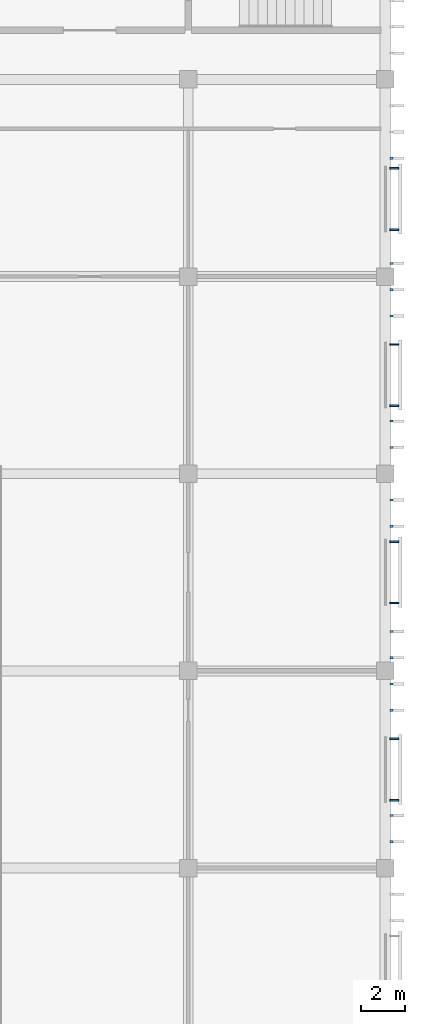
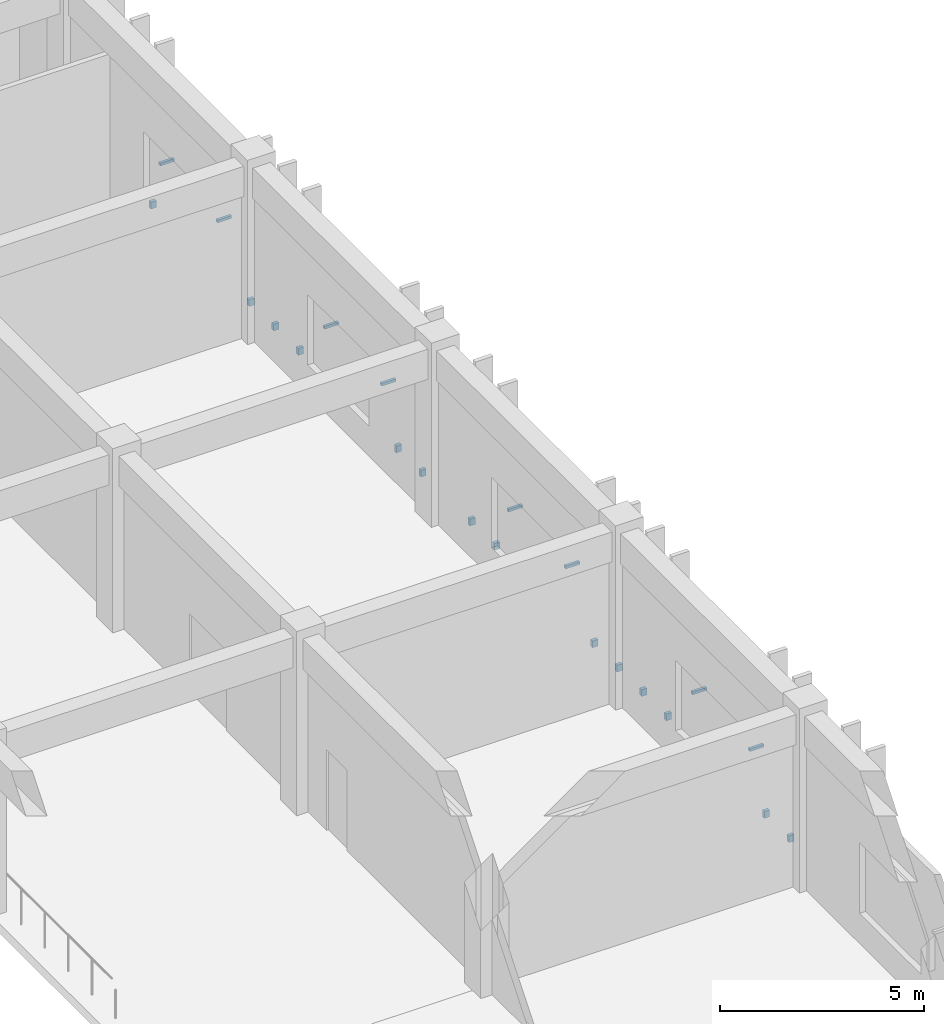
# One storey, part 162 of 185: 22 discrete accessories.
"""IFC4 building model written with IfcOpenShell, lengths in metres."""

from ifc_helpers import new_model, si_unit, direction, frame, origin, origin_2d, place, context, subcontext, project, spatial, rectangle, extrude, material, type_object, element, save


model = new_model("IFC4")

# Units and contexts
model_context = context("Model", 3, precision=1e-05, world=origin(), true_north=direction((0.0, 1.0)))
body_context = subcontext(model_context, "Body", "Model", "MODEL_VIEW")
ifc_project = project(units=[si_unit("LENGTHUNIT", "METRE"), si_unit("AREAUNIT", "SQUARE_METRE"), si_unit("VOLUMEUNIT", "CUBIC_METRE"), si_unit("PLANEANGLEUNIT", "RADIAN"), si_unit("MASSUNIT", "GRAM", prefix="KILO")], contexts=[model_context])

# Site, building, storey
site_placement = place(None, origin())
site = spatial("IfcSite", under=ifc_project, at=site_placement, CompositionType="ELEMENT")
building_placement = place(site_placement, origin())
building = spatial("IfcBuilding", under=site, at=building_placement, Name="Opaline Strait Convention Centre", CompositionType="ELEMENT")
storey_placement = place(building_placement, frame((0.0, 0.0, 6.0)))
storey = spatial("IfcBuildingStorey", under=building, at=storey_placement, Name="L01", CompositionType="ELEMENT", Elevation=6.0)

# Discrete accessories
ifc_material = material(Name="Stainless steel 304", Category="steel")
discrete_accessory_type_1 = type_object("IfcDiscreteAccessoryType", Name="Fin bracket 150 stainless steel", PredefinedType="BRACKET", material=ifc_material)
for number, where, z_axis, x_axis, name in (
    (1, (360.27490234375, 136.199951171875, 0.35009765625), (0.0, 0.0, 1.0), (1.0, 0.0, 0.0), "Fin bracket"),
    (2, (360.27490234375, 137.39990234375, 0.35009765625), (0.0, 0.0, 1.0), (1.0, 0.0, 0.0), "Fin bracket"),
    (3, (360.27490234375, 142.199951171875, 0.35009765625), (0.0, 0.0, 1.0), (1.0, 0.0, 0.0), "Fin bracket"),
    (4, (360.27490234375, 143.39990234375, 0.35009765625), (0.0, 0.0, 1.0), (1.0, 0.0, 0.0), "Fin bracket"),
    (5, (360.27490234375, 144.60009765625, 0.35009765625), (0.0, 0.0, 1.0), (1.0, 0.0, 0.0), "Fin bracket"),
    (6, (360.27490234375, 145.800048828125, 0.35009765625), (0.0, 0.0, 1.0), (1.0, 0.0, 0.0), "Fin bracket"),
    (7, (360.27490234375, 150.60009765625, 0.35009765625), (0.0, 0.0, 1.0), (1.0, 0.0, 0.0), "Fin bracket"),
    (8, (360.27490234375, 151.800048828125, 0.35009765625), (0.0, 0.0, 1.0), (1.0, 0.0, 0.0), "Fin bracket"),
    (9, (360.27490234375, 154.199951171875, 0.35009765625), (0.0, 0.0, 1.0), (1.0, 0.0, 0.0), "Fin bracket"),
    (10, (360.27490234375, 155.39990234375, 0.35009765625), (0.0, 0.0, 1.0), (1.0, 0.0, 0.0), "Fin bracket"),
    (11, (360.27490234375, 160.199951171875, 0.35009765625), (0.0, 0.0, 1.0), (1.0, 0.0, 0.0), "Fin bracket"),
    (12, (360.27490234375, 161.39990234375, 0.35009765625), (0.0, 0.0, 1.0), (1.0, 0.0, 0.0), "Fin bracket"),
    (13, (360.27490234375, 162.60009765625, 0.35009765625), (0.0, 0.0, 1.0), (1.0, 0.0, 0.0), "Fin bracket"),
    (14, (360.27490234375, 167.39990234375, 0.35009765625), (0.0, 0.0, 1.0), (1.0, 0.0, 0.0), "Fin bracket"),
):
    element("IfcDiscreteAccessory", number, at=place(storey_placement, frame(where, z_axis=z_axis, x_axis=x_axis)), inside=storey, type_object=discrete_accessory_type_1, Name=name, PredefinedType="BRACKET", context=body_context, shape_type="SweptSolid", body=[
        extrude(rectangle(XDim=0.14990234375, YDim=0.10009765625, at=origin_2d()), origin(), (0.0, 0.0, 1.0), 0.199951171875),
    ])
discrete_accessory_type_2 = type_object("IfcDiscreteAccessoryType", Name="Louvre bracket 400 stainless steel", PredefinedType="BRACKET", material=ifc_material)
for number, where, z_axis, x_axis, name in (
    (15, (360.39990234375, 138.10009765625, 1.909912109375), (0.0, 0.0, 1.0), (1.0, 0.0, 0.0), "Louvre bracket"),
    (16, (360.39990234375, 140.89990234375, 1.909912109375), (0.0, 0.0, 1.0), (1.0, 0.0, 0.0), "Louvre bracket"),
    (17, (360.39990234375, 147.10009765625, 1.909912109375), (0.0, 0.0, 1.0), (1.0, 0.0, 0.0), "Louvre bracket"),
    (18, (360.39990234375, 149.89990234375, 1.909912109375), (0.0, 0.0, 1.0), (1.0, 0.0, 0.0), "Louvre bracket"),
    (19, (360.39990234375, 156.10009765625, 1.909912109375), (0.0, 0.0, 1.0), (1.0, 0.0, 0.0), "Louvre bracket"),
    (20, (360.39990234375, 158.89990234375, 1.909912109375), (0.0, 0.0, 1.0), (1.0, 0.0, 0.0), "Louvre bracket"),
    (21, (360.39990234375, 164.137451171875, 1.909912109375), (0.0, 0.0, 1.0), (1.0, 0.0, 0.0), "Louvre bracket"),
    (22, (360.39990234375, 166.9375, 1.909912109375), (0.0, 0.0, 1.0), (1.0, 0.0, 0.0), "Louvre bracket"),
):
    element("IfcDiscreteAccessory", number, at=place(storey_placement, frame(where, z_axis=z_axis, x_axis=x_axis)), inside=storey, type_object=discrete_accessory_type_2, Name=name, PredefinedType="BRACKET", context=body_context, shape_type="SweptSolid", body=[
        extrude(rectangle(XDim=0.39990234375, YDim=0.080078125, at=origin_2d()), origin(), (0.0, 0.0, 1.0), 0.080078125),
    ])

save(model, "model.ifc")
